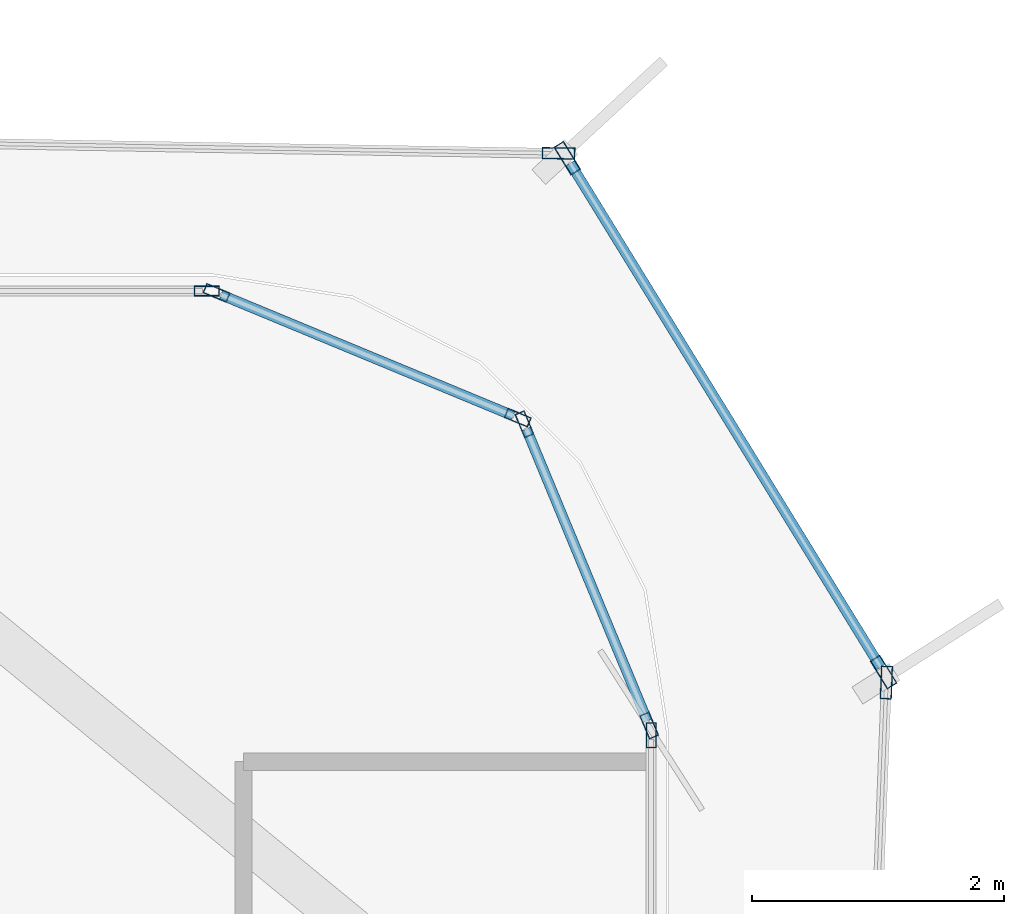
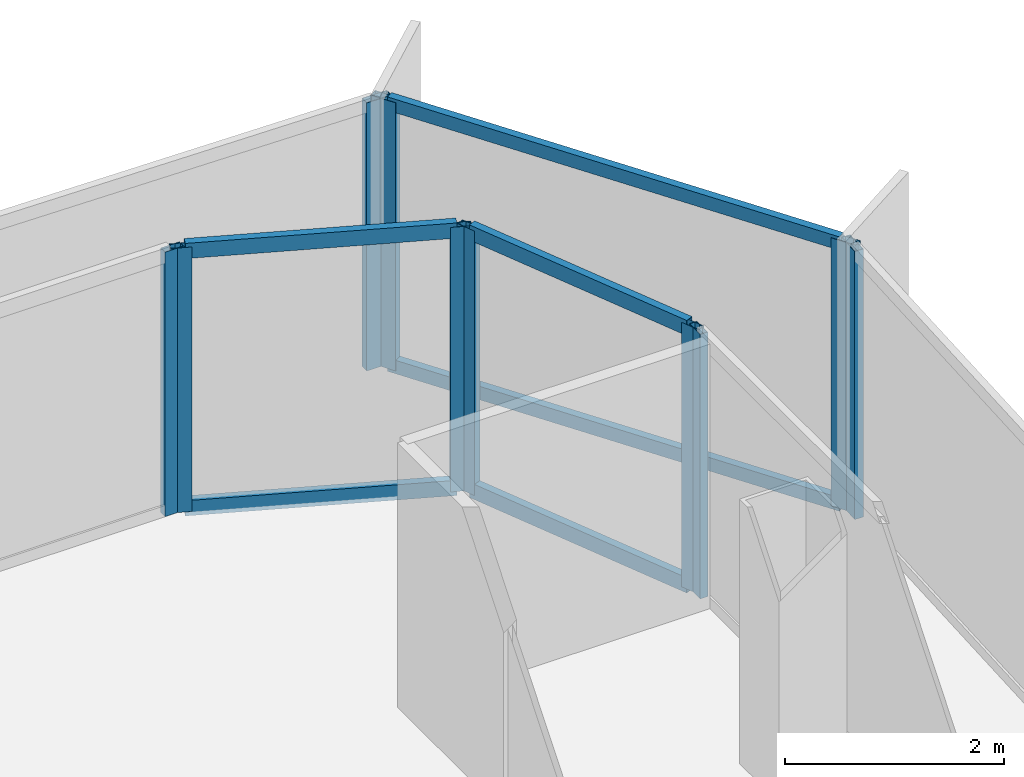
# One storey, part 8 of 16: 16 members, 7 elements without a shape of their own.
"""IFC4 building model written with IfcOpenShell, lengths in metres."""

from ifc_helpers import new_model, si_unit, direction, frame, origin, origin_2d, place, context, subcontext, project, spatial, hollow_rectangle, extrude, source, transform, mapped, material, layer, layer_set, material_profile, profile_set, type_object, element, aggregate, save


model = new_model("IFC4")

# Units and contexts
model_context = context("Model", 3, precision=1e-05, world=origin(), true_north=direction((0.0, 1.0)))
body_context = subcontext(model_context, "Body", "Model", "MODEL_VIEW")
ifc_project = project(units=[si_unit("LENGTHUNIT", "METRE"), si_unit("AREAUNIT", "SQUARE_METRE"), si_unit("VOLUMEUNIT", "CUBIC_METRE"), si_unit("PLANEANGLEUNIT", "RADIAN"), si_unit("MASSUNIT", "GRAM", prefix="KILO")], contexts=[model_context])

# Site, building, storey
site_placement = place(None, origin())
site = spatial("IfcSite", under=ifc_project, at=site_placement, CompositionType="ELEMENT")
building_placement = place(site_placement, origin())
building = spatial("IfcBuilding", under=site, at=building_placement, Name="Kolveth Station Tower", CompositionType="ELEMENT")
storey_placement = place(building_placement, frame((0.0, 0.0, 156.10009765625)))
storey = spatial("IfcBuildingStorey", under=building, at=storey_placement, Name="L43", CompositionType="ELEMENT", Elevation=156.10009765625)

# Curtain wall, member
ifc_material_1 = material(Name="Aluminium 6063-T6 and low-E dark glass", Category="aluminium")
ifc_layer_1 = layer(ifc_material_1, 0.18994140625)
ifc_layer_set_1 = layer_set([ifc_layer_1], Name="Aluminium 6063-T6 and low-E dark glass")
curtain_wall_type_1 = type_object("IfcCurtainWallType", Name="CurtainWall_CW-Z2", PredefinedType="NOTDEFINED", material=ifc_layer_set_1)
curtain_wall_1_placement = place(storey_placement, origin())
curtain_wall_1 = element("IfcCurtainWall", 1, at=curtain_wall_1_placement, inside=storey, type_object=curtain_wall_type_1, Name="L43 Inner Thermal Curtain Wall 3", PredefinedType="NOTDEFINED")
ifc_material_2 = material(Name="Black anodized aluminium 6063-T6", Category="aluminium")
ifc_material_profile_1 = material_profile(ifc_material_2, hollow_rectangle(XDim=0.080078125, YDim=0.199951171875, WallThickness=0.0048828125, at=origin_2d()), Name="ALU-80x200x5")
ifc_profile_set_1 = profile_set([ifc_material_profile_1], Name="Black anodized aluminium 6063-T6")
member_type_1 = type_object("IfcMemberType", Name="Mullion_ML2", PredefinedType="MULLION", material=ifc_profile_set_1)
shared_shape_1 = source(origin(), body_context, "Body", "SweptSolid", [
    extrude(hollow_rectangle(XDim=0.080078125, YDim=0.199951171875, WallThickness=0.0048828125, at=origin_2d()), origin(), (0.0, 0.0, 1.0), 2.949951171875),
])
member_1_placement = place(storey_placement, frame((41.679931640625, 31.659912109375, 0.0), z_axis=(0.0, 0.0, 1.0), x_axis=(-1.0, 0.0, 0.0)))
member_1 = element("IfcMember", 2, at=member_1_placement, type_object=member_type_1, Name="CW-Z2 mullion 2", PredefinedType="MULLION", context=body_context, shape_type="MappedRepresentation", body=[
    mapped(shared_shape_1, transform((0.0, 0.0, 0.0), x_axis=(1.0, 0.0, 0.0), y_axis=(0.0, 1.0, 0.0), z_axis=(0.0, 0.0, 1.0), scale=1.0)),
])
aggregate(curtain_wall_1, [member_1])

# Curtain wall, members
curtain_wall_2_placement = place(storey_placement, origin())
curtain_wall_2 = element("IfcCurtainWall", 3, at=curtain_wall_2_placement, inside=storey, type_object=curtain_wall_type_1, Name="L43 Inner Thermal Curtain Wall 4", PredefinedType="NOTDEFINED")
member_2_placement = place(storey_placement, frame((41.664794921875, 31.737060546875, 0.0), z_axis=(0.0, 0.0, 1.0), x_axis=(-0.923873600544, -0.382697753087, 0.0)))
member_2 = element("IfcMember", 4, at=member_2_placement, type_object=member_type_1, Name="CW-Z2 mullion 1", PredefinedType="MULLION", context=body_context, shape_type="MappedRepresentation", body=[
    mapped(shared_shape_1, transform((0.0, 0.0, 0.0), x_axis=(1.0, 0.0, 0.0), y_axis=(0.0, 1.0, 0.0), z_axis=(0.0, 0.0, 1.0), scale=1.0)),
])
member_3_placement = place(storey_placement, frame((40.676025390625, 34.123779296875, 0.0), z_axis=(0.0, 0.0, 1.0), x_axis=(-0.923873600544, -0.382697753087, 0.0)))
member_3 = element("IfcMember", 5, at=member_3_placement, type_object=member_type_1, Name="CW-Z2 mullion 2", PredefinedType="MULLION", context=body_context, shape_type="MappedRepresentation", body=[
    mapped(shared_shape_1, transform((0.0, 0.0, 0.0), x_axis=(1.0, 0.0, 0.0), y_axis=(0.0, 1.0, 0.0), z_axis=(0.0, 0.0, 1.0), scale=1.0)),
])

curtain_wall_3_placement = place(storey_placement, origin())
curtain_wall_3 = element("IfcCurtainWall", 6, at=curtain_wall_3_placement, inside=storey, type_object=curtain_wall_type_1, Name="L43 Inner Thermal Curtain Wall 5", PredefinedType="NOTDEFINED")
member_4_placement = place(storey_placement, frame((40.623779296875, 34.176025390625, 0.0), z_axis=(0.0, 0.0, 1.0), x_axis=(-0.382697753087, -0.923873600544, 0.0)))
member_4 = element("IfcMember", 7, at=member_4_placement, type_object=member_type_1, Name="CW-Z2 mullion 1", PredefinedType="MULLION", context=body_context, shape_type="MappedRepresentation", body=[
    mapped(shared_shape_1, transform((0.0, 0.0, 0.0), x_axis=(1.0, 0.0, 0.0), y_axis=(0.0, 1.0, 0.0), z_axis=(0.0, 0.0, 1.0), scale=1.0)),
])
member_5_placement = place(storey_placement, frame((38.237060546875, 35.164794921875, 0.0), z_axis=(0.0, 0.0, 1.0), x_axis=(-0.382697753087, -0.923873600544, 0.0)))
member_5 = element("IfcMember", 8, at=member_5_placement, type_object=member_type_1, Name="CW-Z2 mullion 2", PredefinedType="MULLION", context=body_context, shape_type="MappedRepresentation", body=[
    mapped(shared_shape_1, transform((0.0, 0.0, 0.0), x_axis=(1.0, 0.0, 0.0), y_axis=(0.0, 1.0, 0.0), z_axis=(0.0, 0.0, 1.0), scale=1.0)),
])

# Curtain wall, member
curtain_wall_4_placement = place(storey_placement, origin())
curtain_wall_4 = element("IfcCurtainWall", 9, at=curtain_wall_4_placement, inside=storey, type_object=curtain_wall_type_1, Name="L43 Inner Thermal Curtain Wall 6", PredefinedType="NOTDEFINED")
member_6_placement = place(storey_placement, frame((38.159912109375, 35.179931640625, 0.0), z_axis=(0.0, 0.0, 1.0), x_axis=(0.0, -1.0, 0.0)))
member_6 = element("IfcMember", 10, at=member_6_placement, type_object=member_type_1, Name="CW-Z2 mullion 1", PredefinedType="MULLION", context=body_context, shape_type="MappedRepresentation", body=[
    mapped(shared_shape_1, transform((0.0, 0.0, 0.0), x_axis=(1.0, 0.0, 0.0), y_axis=(0.0, 1.0, 0.0), z_axis=(0.0, 0.0, 1.0), scale=1.0)),
])
aggregate(curtain_wall_4, [member_6])

ifc_material_3 = material(Name="Black anodized aluminium 6063-T6 and dark solar glass", Category="aluminium")
ifc_layer_2 = layer(ifc_material_3, 0.159912109375)
ifc_layer_set_2 = layer_set([ifc_layer_2], Name="Black anodized aluminium 6063-T6 and dark solar glass")
curtain_wall_type_2 = type_object("IfcCurtainWallType", Name="OUTER SKIN CW-OS", PredefinedType="NOTDEFINED", material=ifc_layer_set_2)
curtain_wall_5_placement = place(storey_placement, origin())
curtain_wall_5 = element("IfcCurtainWall", 11, at=curtain_wall_5_placement, inside=storey, type_object=curtain_wall_type_2, Name="L43 Outer Ventilated Skin Curtain Wall 2", PredefinedType="NOTDEFINED")
ifc_material_profile_2 = material_profile(ifc_material_2, hollow_rectangle(XDim=0.090087890625, YDim=0.260009765625, WallThickness=0.0048828125, at=origin_2d()), Name="ALU-90x260x5")
ifc_profile_set_2 = profile_set([ifc_material_profile_2], Name="Black anodized aluminium 6063-T6")
member_type_2 = type_object("IfcMemberType", Name="FIN MULLION ML-OS", PredefinedType="MULLION", material=ifc_profile_set_2)
shared_shape_2 = source(origin(), body_context, "Body", "SweptSolid", [
    extrude(hollow_rectangle(XDim=0.090087890625, YDim=0.260009765625, WallThickness=0.0048828125, at=origin_2d()), origin(), (0.0, 0.0, 1.0), 2.989990234375),
])
member_7_placement = place(storey_placement, frame((43.544189453125, 32.0771484375, 0.0), z_axis=(0.0, 0.0, 1.0), x_axis=(-0.999263435262, 0.038374300635, 0.0)))
member_7 = element("IfcMember", 12, at=member_7_placement, type_object=member_type_2, Name="CW-OS mullion 2", PredefinedType="MULLION", context=body_context, shape_type="MappedRepresentation", body=[
    mapped(shared_shape_2, transform((0.0, 0.0, 0.0), x_axis=(1.0, 0.0, 0.0), y_axis=(0.0, 1.0, 0.0), z_axis=(0.0, 0.0, 1.0), scale=1.0)),
])
aggregate(curtain_wall_5, [member_7])

# Curtain wall, members
curtain_wall_6_placement = place(storey_placement, origin())
curtain_wall_6 = element("IfcCurtainWall", 13, at=curtain_wall_6_placement, inside=storey, type_object=curtain_wall_type_2, Name="L43 Outer Ventilated Skin Curtain Wall 3", PredefinedType="NOTDEFINED")
member_8_placement = place(storey_placement, frame((43.522216796875, 32.160400390625, 0.0), z_axis=(0.0, 0.0, 1.0), x_axis=(-0.851508843679, -0.524340241767, 0.0)))
member_8 = element("IfcMember", 14, at=member_8_placement, type_object=member_type_2, Name="CW-OS mullion 1", PredefinedType="MULLION", context=body_context, shape_type="MappedRepresentation", body=[
    mapped(shared_shape_2, transform((0.0, 0.0, 0.0), x_axis=(1.0, 0.0, 0.0), y_axis=(0.0, 1.0, 0.0), z_axis=(0.0, 0.0, 1.0), scale=1.0)),
])
member_9_placement = place(storey_placement, frame((41.015380859375, 36.2314453125, 0.0), z_axis=(0.0, 0.0, 1.0), x_axis=(-0.851508843679, -0.524340241767, 0.0)))
member_9 = element("IfcMember", 15, at=member_9_placement, type_object=member_type_2, Name="CW-OS mullion 2", PredefinedType="MULLION", context=body_context, shape_type="MappedRepresentation", body=[
    mapped(shared_shape_2, transform((0.0, 0.0, 0.0), x_axis=(1.0, 0.0, 0.0), y_axis=(0.0, 1.0, 0.0), z_axis=(0.0, 0.0, 1.0), scale=1.0)),
])

# Curtain wall, member
curtain_wall_7_placement = place(storey_placement, origin())
curtain_wall_7 = element("IfcCurtainWall", 16, at=curtain_wall_7_placement, inside=storey, type_object=curtain_wall_type_2, Name="L43 Outer Ventilated Skin Curtain Wall 4", PredefinedType="NOTDEFINED")
member_10_placement = place(storey_placement, frame((40.94677734375, 36.2705078125, 0.0), z_axis=(0.0, 0.0, 1.0), x_axis=(-0.016878486243, -0.999857548205, 0.0)))
member_10 = element("IfcMember", 17, at=member_10_placement, type_object=member_type_2, Name="CW-OS mullion 1", PredefinedType="MULLION", context=body_context, shape_type="MappedRepresentation", body=[
    mapped(shared_shape_2, transform((0.0, 0.0, 0.0), x_axis=(1.0, 0.0, 0.0), y_axis=(0.0, 1.0, 0.0), z_axis=(0.0, 0.0, 1.0), scale=1.0)),
])
aggregate(curtain_wall_7, [member_10])

# Member
ifc_material_profile_3 = material_profile(ifc_material_2, hollow_rectangle(XDim=0.080078125, YDim=0.169921875, WallThickness=0.0048828125, at=origin_2d()), Name="ALU-80x170x5")
ifc_profile_set_3 = profile_set([ifc_material_profile_3], Name="Black anodized aluminium 6063-T6")
member_type_3 = type_object("IfcMemberType", Name="Transom_TR2", PredefinedType="USERDEFINED", material=ifc_profile_set_3)
shared_shape_3 = source(origin(), body_context, "Body", "SweptSolid", [
    extrude(hollow_rectangle(XDim=0.080078125, YDim=0.169921875, WallThickness=0.0048828125, at=origin_2d()), origin(), (0.0, 0.0, 1.0), 2.50341796875),
])
member_11_placement = place(storey_placement, frame((41.6494140625, 31.77392578125, 0.039794921875), z_axis=(-0.382696328882, 0.923874190494, 0.0), x_axis=(-0.923874190494, -0.382696328882, 0.0)))
member_11 = element("IfcMember", 18, at=member_11_placement, type_object=member_type_3, Name="CW-Z2 transom 1.1", ObjectType="TRANSOM", PredefinedType="USERDEFINED", context=body_context, shape_type="MappedRepresentation", body=[
    mapped(shared_shape_3, transform((0.0, 0.0, 0.0), x_axis=(1.0, 0.0, 0.0), y_axis=(0.0, 1.0, 0.0), z_axis=(0.0, 0.0, 1.0), scale=1.0)),
])

member_12_placement = place(storey_placement, frame((41.6494140625, 31.77392578125, 2.909912109375), z_axis=(-0.382696328882, 0.923874190494, 0.0), x_axis=(-0.923874190494, -0.382696328882, 0.0)))
member_12 = element("IfcMember", 19, at=member_12_placement, type_object=member_type_3, Name="CW-Z2 transom 1.2", ObjectType="TRANSOM", PredefinedType="USERDEFINED", context=body_context, shape_type="MappedRepresentation", body=[
    mapped(shared_shape_3, transform((0.0, 0.0, 0.0), x_axis=(1.0, 0.0, 0.0), y_axis=(0.0, 1.0, 0.0), z_axis=(0.0, 0.0, 1.0), scale=1.0)),
])

aggregate(curtain_wall_2, [member_2, member_3, member_11, member_12])

member_13_placement = place(storey_placement, frame((40.586669921875, 34.19140625, 0.039794921875), z_axis=(-0.923874190494, 0.382696328882, 0.0), x_axis=(-0.382696328882, -0.923874190494, 0.0)))
member_13 = element("IfcMember", 20, at=member_13_placement, type_object=member_type_3, Name="CW-Z2 transom 1.1", ObjectType="TRANSOM", PredefinedType="USERDEFINED", context=body_context, shape_type="MappedRepresentation", body=[
    mapped(shared_shape_3, transform((0.0, 0.0, 0.0), x_axis=(1.0, 0.0, 0.0), y_axis=(0.0, 1.0, 0.0), z_axis=(0.0, 0.0, 1.0), scale=1.0)),
])

member_14_placement = place(storey_placement, frame((40.586669921875, 34.19140625, 2.909912109375), z_axis=(-0.923874190494, 0.382696328882, 0.0), x_axis=(-0.382696328882, -0.923874190494, 0.0)))
member_14 = element("IfcMember", 21, at=member_14_placement, type_object=member_type_3, Name="CW-Z2 transom 1.2", ObjectType="TRANSOM", PredefinedType="USERDEFINED", context=body_context, shape_type="MappedRepresentation", body=[
    mapped(shared_shape_3, transform((0.0, 0.0, 0.0), x_axis=(1.0, 0.0, 0.0), y_axis=(0.0, 1.0, 0.0), z_axis=(0.0, 0.0, 1.0), scale=1.0)),
])

aggregate(curtain_wall_3, [member_4, member_5, member_13, member_14])

ifc_material_profile_4 = material_profile(ifc_material_2, hollow_rectangle(XDim=0.080078125, YDim=0.14990234375, WallThickness=0.0048828125, at=origin_2d()), Name="ALU-80x150x5")
ifc_profile_set_4 = profile_set([ifc_material_profile_4], Name="Black anodized aluminium 6063-T6")
member_type_4 = type_object("IfcMemberType", Name="Transom_TR-OS", PredefinedType="USERDEFINED", material=ifc_profile_set_4)
shared_shape_4 = source(origin(), body_context, "Body", "SweptSolid", [
    extrude(hollow_rectangle(XDim=0.080078125, YDim=0.14990234375, WallThickness=0.0048828125, at=origin_2d()), origin(), (0.0, 0.0, 1.0), 4.69091796875),
])
member_15_placement = place(storey_placement, frame((43.49853515625, 32.19873046875, 0.039794921875), z_axis=(-0.524312294548, 0.851526052323, 0.0), x_axis=(-0.851526052323, -0.524312294548, 0.0)))
member_15 = element("IfcMember", 22, at=member_15_placement, type_object=member_type_4, Name="CW-OS transom 1.1", ObjectType="TRANSOM", PredefinedType="USERDEFINED", context=body_context, shape_type="MappedRepresentation", body=[
    mapped(shared_shape_4, transform((0.0, 0.0, 0.0), x_axis=(1.0, 0.0, 0.0), y_axis=(0.0, 1.0, 0.0), z_axis=(0.0, 0.0, 1.0), scale=1.0)),
])

member_16_placement = place(storey_placement, frame((43.49853515625, 32.19873046875, 2.949951171875), z_axis=(-0.524312294548, 0.851526052323, 0.0), x_axis=(-0.851526052323, -0.524312294548, 0.0)))
member_16 = element("IfcMember", 23, at=member_16_placement, type_object=member_type_4, Name="CW-OS transom 1.2", ObjectType="TRANSOM", PredefinedType="USERDEFINED", context=body_context, shape_type="MappedRepresentation", body=[
    mapped(shared_shape_4, transform((0.0, 0.0, 0.0), x_axis=(1.0, 0.0, 0.0), y_axis=(0.0, 1.0, 0.0), z_axis=(0.0, 0.0, 1.0), scale=1.0)),
])

aggregate(curtain_wall_6, [member_8, member_9, member_15, member_16])

save(model, "model.ifc")
